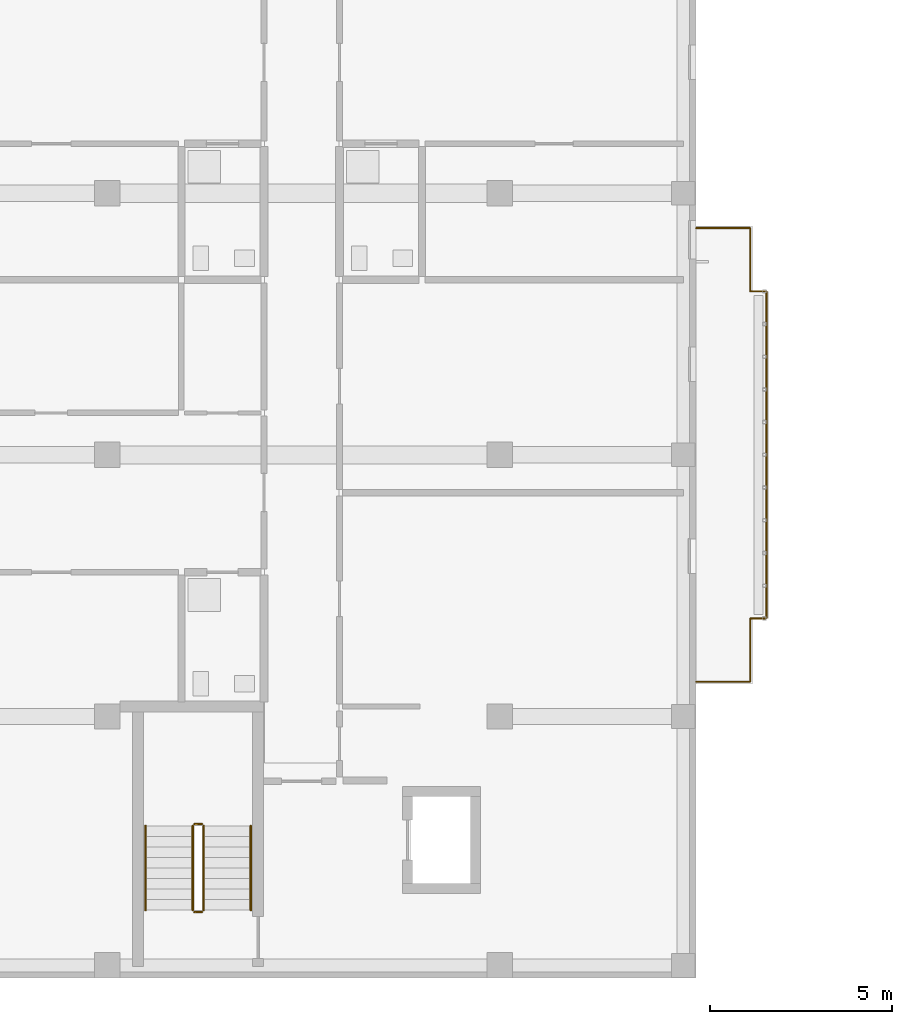
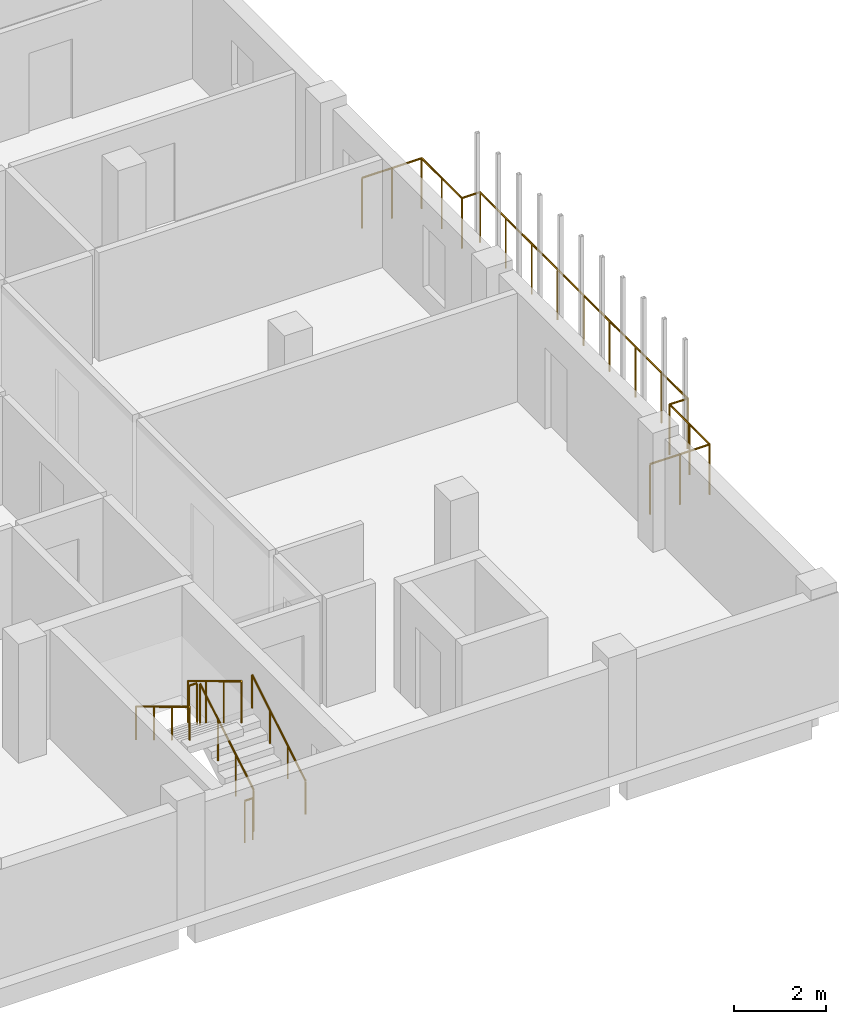
# One storey, part 39 of 51: 7 railings.
"""IFC4 building model written with IfcOpenShell, lengths in metres."""

import ifcopenshell
import ifcopenshell.guid

model = None  # the IFC model being written
_history = None  # IfcOwnerHistory: only IFC2X3 demands one
_inside = {}  # id of a spatial element -> (the spatial element, [elements in it])
_under = {}  # id of a project, library or spatial element -> (it, [spatial elements below it])
_declared = {}  # id of a project -> (the project, [libraries it declares])
_typed = {}  # id of a type object -> (the type object, [elements of that type])
_made_of = {}  # id of a material, layer set ... -> (it, [elements and type objects made of it])


def new_model(schema):
    """Start an empty IFC model of exactly this schema.

    Asked for "IFC4X3", IfcOpenShell would pick the latest addendum, in which some entities
    have other attributes; the version numbers below select the first issue.
    IFC2X3 requires an IfcOwnerHistory on every rooted entity: one is made here for all.
    """
    global model, _history
    if schema == "IFC4X3":
        model = ifcopenshell.file(schema_version=(4, 3, 0, 0))
    else:
        model = ifcopenshell.file(schema=schema)
    _inside.clear()
    _under.clear()
    _declared.clear()
    _typed.clear()
    _made_of.clear()
    _history = None
    if model.schema == "IFC2X3":
        org = make("IfcOrganization", Name="unknown")
        user = make(
            "IfcPersonAndOrganization",
            ThePerson=make("IfcPerson", FamilyName="unknown"),
            TheOrganization=org,
        )
        app = make(
            "IfcApplication",
            ApplicationDeveloper=org,
            Version="unknown",
            ApplicationFullName="unknown",
            ApplicationIdentifier="unknown",
        )
        _history = make(
            "IfcOwnerHistory",
            OwningUser=user,
            OwningApplication=app,
            ChangeAction="ADDED",
            CreationDate=0,
        )
    return model


def make(cls, **values):
    """One entity of the class cls with the attributes given. An attribute that is None is left unset."""
    return model.create_entity(
        cls, **{name: value for name, value in values.items() if value is not None}
    )


def rooted(cls, **values):
    """An entity with a GlobalId (a new one), such as an element, a storey or a relation."""
    return make(cls, GlobalId=ifcopenshell.guid.new(), OwnerHistory=_history, **values)


def si_unit(unit_type, name, prefix=None):
    """IfcSIUnit, for example si_unit("LENGTHUNIT", "METRE", prefix="MILLI")."""
    return make("IfcSIUnit", UnitType=unit_type, Prefix=prefix, Name=name)


def derived_unit(unit_type, elements):
    """IfcDerivedUnit: a product of units, each with its exponent."""
    return make(
        "IfcDerivedUnit",
        Elements=[
            make("IfcDerivedUnitElement", Unit=unit, Exponent=power)
            for unit, power in elements
        ],
        UnitType=unit_type,
    )


def assignment(units):
    """IfcUnitAssignment: the units of a project."""
    return None if units is None else make("IfcUnitAssignment", Units=units)


def point(xyz):
    """IfcCartesianPoint."""
    return None if xyz is None else make("IfcCartesianPoint", Coordinates=xyz)


def direction(xyz):
    """IfcDirection."""
    return None if xyz is None else make("IfcDirection", DirectionRatios=xyz)


def frame(location, z_axis=None, x_axis=None):
    """IfcAxis2Placement3D, a coordinate frame: its origin and axes. An axis left out is left unset."""
    return make(
        "IfcAxis2Placement3D",
        Location=point(location),
        Axis=direction(z_axis),
        RefDirection=direction(x_axis),
    )


def frame_2d(location, x_axis=None):
    """IfcAxis2Placement2D, a coordinate frame in the plane: its origin and x axis."""
    return make(
        "IfcAxis2Placement2D", Location=point(location), RefDirection=direction(x_axis)
    )


def origin():
    """The frame at (0, 0, 0) with its axes left unset."""
    return frame((0.0, 0.0, 0.0))


def origin_2d():
    """The frame at (0, 0) in the plane with its x axis left unset."""
    return frame_2d((0.0, 0.0))


def place(relative_to, where):
    """IfcLocalPlacement: puts the frame where relative to a parent placement (None: the world)."""
    return make(
        "IfcLocalPlacement", PlacementRelTo=relative_to, RelativePlacement=where
    )


def context(
    kind, dimensions, precision=None, world=None, true_north=None, identifier=None
):
    """IfcGeometricRepresentationContext, for example the 3D "Model" context."""
    return make(
        "IfcGeometricRepresentationContext",
        ContextIdentifier=identifier,
        ContextType=kind,
        CoordinateSpaceDimension=dimensions,
        Precision=precision,
        WorldCoordinateSystem=world,
        TrueNorth=true_north,
    )


def subcontext(parent, identifier, kind, view, scale=None):
    """IfcGeometricRepresentationSubContext, for example "Body" below "Model"."""
    return make(
        "IfcGeometricRepresentationSubContext",
        ContextIdentifier=identifier,
        ContextType=kind,
        ParentContext=parent,
        TargetScale=scale,
        TargetView=view,
    )


def project(units=None, contexts=None):
    """IfcProject with its units and contexts."""
    return rooted(
        "IfcProject",
        Name="project",
        RepresentationContexts=contexts,
        UnitsInContext=assignment(units),
    )


def spatial(cls, under=None, at=None, **own):
    """A site, building, storey or space (cls), placed at a placement, below another one or the project."""
    s = rooted(cls, ObjectPlacement=at, **own)
    if under is not None:
        _under.setdefault(under.id(), (under, []))[1].append(s)
    return s


def profile(cls, at=None, kind="AREA", **sizes):
    """A parametric profile (cls). Its sizes go by their IFC names, for example OverallWidth=200.0."""
    return make(cls, ProfileType=kind, Position=at, **sizes)


def circle(**sizes):
    """IfcCircleProfileDef."""
    return profile("IfcCircleProfileDef", **sizes)


def extrude(swept, where, along, depth):
    """IfcExtrudedAreaSolid: the profile swept, set in the frame where, extruded along a direction by depth."""
    return make(
        "IfcExtrudedAreaSolid",
        SweptArea=swept,
        Position=where,
        ExtrudedDirection=direction(along),
        Depth=depth,
    )


def shape(context_of_items, identifier, shape_type, items):
    """IfcShapeRepresentation: the items that make up one representation, for example the "Body"."""
    return make(
        "IfcShapeRepresentation",
        ContextOfItems=context_of_items,
        RepresentationIdentifier=identifier,
        RepresentationType=shape_type,
        Items=items,
    )


def material(Name=None, Category=None):
    """IfcMaterial."""
    return make("IfcMaterial", Name=Name, Category=Category)


def made_of(thing, what):
    """Note that an element or type object is made of a material, layer set ...; save() writes the relation."""
    if what is not None:
        _made_of.setdefault(what.id(), (what, []))[1].append(thing)
    return thing


def type_object(cls, material=None, **own):
    """A type object (cls), such as IfcWallType, which elements share."""
    return made_of(rooted(cls, **own), material)


def element(
    cls,
    number,
    at=None,
    inside=None,
    cuts=None,
    type_object=None,
    material=None,
    context=None,
    identifier="Body",
    shape_type=None,
    held_by="IfcProductDefinitionShape",
    body=None,
    shapes=None,
    **own,
):
    """One element of the class cls, such as IfcWall. Its Tag is "e" and its number.

    at: its placement. inside: the storey or other place that contains it. cuts: it is an
    opening in that element (IfcRelVoidsElement). A single representation is given by context,
    identifier, shape_type and body (its items); several are given by shapes. held_by: the class
    of the entity that holds the representations. save() writes the other relations.
    """
    e = rooted(cls, Tag="e%d" % number, ObjectPlacement=at, **own)
    if body is not None:
        shapes = [shape(context, identifier, shape_type, body)]
    if shapes is not None:
        e.Representation = make(held_by, Representations=shapes)
    if inside is not None:
        _inside.setdefault(inside.id(), (inside, []))[1].append(e)
    if cuts is not None:
        rooted(
            "IfcRelVoidsElement", RelatingBuildingElement=cuts, RelatedOpeningElement=e
        )
    if type_object is not None:
        _typed.setdefault(type_object.id(), (type_object, []))[1].append(e)
    return made_of(e, material)


def aggregate(whole, parts):
    """IfcRelAggregates: a whole, such as a stair, and the parts it consists of."""
    return rooted("IfcRelAggregates", RelatingObject=whole, RelatedObjects=parts)


def save(model, path):
    """Write the relations noted so far, then the file.

    IfcRelAggregates (storeys below a building ...), IfcRelContainedInSpatialStructure (elements
    in a storey), IfcRelDefinesByType, IfcRelAssociatesMaterial and IfcRelDeclares: one each for
    every whole, place, type object, material and project.
    """
    for whole, parts in _under.values():
        aggregate(whole, parts)
    for where, things in _inside.values():
        rooted(
            "IfcRelContainedInSpatialStructure",
            RelatedElements=things,
            RelatingStructure=where,
        )
    for kind, things in _typed.values():
        rooted("IfcRelDefinesByType", RelatedObjects=things, RelatingType=kind)
    for what, things in _made_of.values():
        rooted("IfcRelAssociatesMaterial", RelatedObjects=things, RelatingMaterial=what)
    for by, libraries in _declared.values():
        rooted("IfcRelDeclares", RelatingContext=by, RelatedDefinitions=libraries)
    model.write(path)


model = new_model("IFC4")

# Units and contexts
model_context = context("Model", 3, precision=1e-05, world=origin(), true_north=direction((0.0, 1.0)))
body_context = subcontext(model_context, "Body", "Model", "MODEL_VIEW")
ifc_project = project(units=[si_unit("LENGTHUNIT", "METRE"), si_unit("AREAUNIT", "SQUARE_METRE"), si_unit("VOLUMEUNIT", "CUBIC_METRE"), si_unit("PLANEANGLEUNIT", "RADIAN"), si_unit("MASSUNIT", "GRAM", prefix="KILO"), derived_unit("THERMALTRANSMITTANCEUNIT", [(si_unit("MASSUNIT", "GRAM", prefix="KILO"), 1), (si_unit("TIMEUNIT", "SECOND"), -3), (si_unit("THERMODYNAMICTEMPERATUREUNIT", "KELVIN"), -1)])], contexts=[model_context])

# Site, building, storey
site_placement = place(None, origin())
site = spatial("IfcSite", under=ifc_project, at=site_placement, CompositionType="ELEMENT")
building_placement = place(site_placement, origin())
building = spatial("IfcBuilding", under=site, at=building_placement, Name="Ochrekiln Boulevard Commons", CompositionType="ELEMENT")
storey_placement = place(building_placement, frame((0.0, 0.0, 18.375)))
storey = spatial("IfcBuildingStorey", under=building, at=storey_placement, Name="L05", CompositionType="ELEMENT", Elevation=18.375)

# Railings
ifc_material_1 = material(Name="Bronze-anodized extruded aluminium 6063-T6", Category="aluminium")
railing_type_1 = type_object("IfcRailingType", Name="RLG-BAL-1350", PredefinedType="BALUSTRADE", material=ifc_material_1)
railing_1_placement = place(storey_placement, frame((21.60009765625, 8.159912109375, 0.0)))
element("IfcRailing", 1, at=railing_1_placement, inside=storey, type_object=railing_type_1, Name="Block D L05 Balcony Guard Balustrade 1", PredefinedType="BALUSTRADE", context=body_context, shape_type="SweptSolid", body=[
    extrude(circle(Radius=0.02392578125, at=origin_2d()), frame((0.0, 0.0, 1.326171875), z_axis=(1.0, 0.0, 0.0), x_axis=(0.0, 1.0, 0.0)), (0.0, 0.0, 1.0), 1.489990234375),
    extrude(circle(Radius=0.02392578125, at=origin_2d()), frame((1.489990234375, 0.0, 1.326171875), z_axis=(0.0, 1.0, 0.0), x_axis=(-1.0, 0.0, 0.0)), (0.0, 0.0, 1.0), 1.739990234375),
    extrude(circle(Radius=0.02392578125, at=origin_2d()), frame((1.489990234375, 1.739990234375, 1.326171875), z_axis=(1.0, 0.0, 0.0), x_axis=(0.0, 1.0, 0.0)), (0.0, 0.0, 1.0), 0.449951171875),
    extrude(circle(Radius=0.02392578125, at=origin_2d()), frame((1.93994140625, 1.739990234375, 1.326171875), z_axis=(0.0, 1.0, 0.0), x_axis=(-1.0, 0.0, 0.0)), (0.0, 0.0, 1.0), 9.0),
    extrude(circle(Radius=0.02392578125, at=origin_2d()), frame((1.93994140625, 10.739990234375, 1.326171875), z_axis=(-1.0, 0.0, 0.0), x_axis=(0.0, -1.0, 0.0)), (0.0, 0.0, 1.0), 0.449951171875),
    extrude(circle(Radius=0.02392578125, at=origin_2d()), frame((1.489990234375, 10.739990234375, 1.326171875), z_axis=(0.0, 1.0, 0.0), x_axis=(-1.0, 0.0, 0.0)), (0.0, 0.0, 1.0), 1.739990234375),
    extrude(circle(Radius=0.02392578125, at=origin_2d()), frame((1.489990234375, 12.47998046875, 1.326171875), z_axis=(-1.0, 0.0, 0.0), x_axis=(0.0, -1.0, 0.0)), (0.0, 0.0, 1.0), 1.489990234375),
    extrude(circle(Radius=0.02099609375, at=origin_2d()), origin(), (0.0, 0.0, 1.0), 1.302001953125),
    extrude(circle(Radius=0.02099609375, at=origin_2d()), frame((0.7451171875, 0.0, 0.0)), (0.0, 0.0, 1.0), 1.302001953125),
    extrude(circle(Radius=0.02099609375, at=origin_2d()), frame((1.489990234375, 0.0, 0.0)), (0.0, 0.0, 1.0), 1.302001953125),
    extrude(circle(Radius=0.02099609375, at=origin_2d()), frame((1.489990234375, 0.8701171875, 0.0)), (0.0, 0.0, 1.0), 1.302001953125),
    extrude(circle(Radius=0.02099609375, at=origin_2d()), frame((1.489990234375, 1.739990234375, 0.0)), (0.0, 0.0, 1.0), 1.302001953125),
    extrude(circle(Radius=0.02099609375, at=origin_2d()), frame((1.93994140625, 1.739990234375, 0.0)), (0.0, 0.0, 1.0), 1.302001953125),
    extrude(circle(Radius=0.02099609375, at=origin_2d()), frame((1.93994140625, 2.864990234375, 0.0)), (0.0, 0.0, 1.0), 1.302001953125),
    extrude(circle(Radius=0.02099609375, at=origin_2d()), frame((1.93994140625, 3.989990234375, 0.0)), (0.0, 0.0, 1.0), 1.302001953125),
    extrude(circle(Radius=0.02099609375, at=origin_2d()), frame((1.93994140625, 5.114990234375, 0.0)), (0.0, 0.0, 1.0), 1.302001953125),
    extrude(circle(Radius=0.02099609375, at=origin_2d()), frame((1.93994140625, 6.239990234375, 0.0)), (0.0, 0.0, 1.0), 1.302001953125),
    extrude(circle(Radius=0.02099609375, at=origin_2d()), frame((1.93994140625, 7.364990234375, 0.0)), (0.0, 0.0, 1.0), 1.302001953125),
    extrude(circle(Radius=0.02099609375, at=origin_2d()), frame((1.93994140625, 8.489990234375, 0.0)), (0.0, 0.0, 1.0), 1.302001953125),
    extrude(circle(Radius=0.02099609375, at=origin_2d()), frame((1.93994140625, 9.614990234375, 0.0)), (0.0, 0.0, 1.0), 1.302001953125),
    extrude(circle(Radius=0.02099609375, at=origin_2d()), frame((1.93994140625, 10.739990234375, 0.0)), (0.0, 0.0, 1.0), 1.302001953125),
    extrude(circle(Radius=0.02099609375, at=origin_2d()), frame((1.489990234375, 10.739990234375, 0.0)), (0.0, 0.0, 1.0), 1.302001953125),
    extrude(circle(Radius=0.02099609375, at=origin_2d()), frame((1.489990234375, 11.60986328125, 0.0)), (0.0, 0.0, 1.0), 1.302001953125),
    extrude(circle(Radius=0.02099609375, at=origin_2d()), frame((1.489990234375, 12.47998046875, 0.0)), (0.0, 0.0, 1.0), 1.302001953125),
    extrude(circle(Radius=0.02099609375, at=origin_2d()), frame((0.7451171875, 12.47998046875, 0.0)), (0.0, 0.0, 1.0), 1.302001953125),
    extrude(circle(Radius=0.02099609375, at=origin_2d()), frame((0.0, 12.47998046875, 0.0)), (0.0, 0.0, 1.0), 1.302001953125),
])
ifc_material_2 = material(Name="Brushed stainless steel 316 tubular railing", Category="steel")
railing_type_2 = type_object("IfcRailingType", Name="RLG-HDR-900", PredefinedType="HANDRAIL", material=ifc_material_2)
railing_2_placement = place(storey_placement, frame((9.35009765625, 1.8701171875, 0.175048828125)))
element("IfcRailing", 2, at=railing_2_placement, inside=storey, type_object=railing_type_2, Name="L05 ST-D1 stair handrail 1", PredefinedType="HANDRAIL", context=body_context, shape_type="SweptSolid", body=[
    extrude(circle(Radius=0.02392578125, at=origin_2d()), frame((0.0, 0.0, 0.8759765625), z_axis=(0.0, 0.856186286599, 0.516667245565), x_axis=(-1.0, 0.0, 0.0)), (0.0, 0.0, 1.0), 2.70947265625),
    extrude(circle(Radius=0.02099609375, at=origin_2d()), origin(), (0.0, 0.0, 1.0), 0.851806640625),
    extrude(circle(Radius=0.02099609375, at=origin_2d()), frame((0.0, 0.773193359375, 0.466552734375)), (0.0, 0.0, 1.0), 0.851806640625),
    extrude(circle(Radius=0.02099609375, at=origin_2d()), frame((0.0, 1.546630859375, 0.933349609375)), (0.0, 0.0, 1.0), 0.851806640625),
    extrude(circle(Radius=0.02099609375, at=origin_2d()), frame((0.0, 2.31982421875, 1.39990234375)), (0.0, 0.0, 1.0), 0.851806640625),
])
railing_3_placement = place(storey_placement, frame((6.449951171875, 4.18994140625, 1.75)))
element("IfcRailing", 3, at=railing_3_placement, inside=storey, type_object=railing_type_2, Name="L05 ST-D1 stair handrail 2", PredefinedType="HANDRAIL", context=body_context, shape_type="SweptSolid", body=[
    extrude(circle(Radius=0.02392578125, at=origin_2d()), frame((0.0, 0.0, 0.8759765625), z_axis=(0.0, -0.856186286599, 0.516667245565), x_axis=(1.0, 0.0, 0.0)), (0.0, 0.0, 1.0), 2.70947265625),
    extrude(circle(Radius=0.02099609375, at=origin_2d()), origin(), (0.0, 0.0, 1.0), 0.851806640625),
    extrude(circle(Radius=0.02099609375, at=origin_2d()), frame((0.0, -0.773193359375, 0.466552734375)), (0.0, 0.0, 1.0), 0.851806640625),
    extrude(circle(Radius=0.02099609375, at=origin_2d()), frame((0.0, -1.546630859375, 0.933349609375)), (0.0, 0.0, 1.0), 0.851806640625),
    extrude(circle(Radius=0.02099609375, at=origin_2d()), frame((0.0, -2.31982421875, 1.39990234375)), (0.0, 0.0, 1.0), 0.851806640625),
])
railing_type_3 = type_object("IfcRailingType", Name="RLG-STR-1120", PredefinedType="BALUSTRADE", material=ifc_material_2)
railing_4_placement = place(storey_placement, frame((8.050048828125, 1.8701171875, 0.175048828125)))
element("IfcRailing", 4, at=railing_4_placement, inside=storey, type_object=railing_type_3, Name="L05 ST-D1 stair guard 1", PredefinedType="BALUSTRADE", context=body_context, shape_type="SweptSolid", body=[
    extrude(circle(Radius=0.02392578125, at=origin_2d()), frame((0.0, 0.0, 1.09619140625), z_axis=(0.0, 0.856186286599, 0.516667245565), x_axis=(-1.0, 0.0, 0.0)), (0.0, 0.0, 1.0), 2.70947265625),
    extrude(circle(Radius=0.02099609375, at=origin_2d()), origin(), (0.0, 0.0, 1.0), 1.072021484375),
    extrude(circle(Radius=0.02099609375, at=origin_2d()), frame((0.0, 0.773193359375, 0.466552734375)), (0.0, 0.0, 1.0), 1.072021484375),
    extrude(circle(Radius=0.02099609375, at=origin_2d()), frame((0.0, 1.546630859375, 0.933349609375)), (0.0, 0.0, 1.0), 1.072021484375),
    extrude(circle(Radius=0.02099609375, at=origin_2d()), frame((0.0, 2.31982421875, 1.39990234375)), (0.0, 0.0, 1.0), 1.072021484375),
])
railing_5_placement = place(storey_placement, frame((8.0, 4.239990234375, 1.574951171875)))
element("IfcRailing", 5, at=railing_5_placement, inside=storey, type_object=railing_type_3, Name="L05 ST-D1 stair guard 2", PredefinedType="BALUSTRADE", context=body_context, shape_type="SweptSolid", body=[
    extrude(circle(Radius=0.02392578125, at=origin_2d()), frame((0.0, 0.0, 1.09619140625), z_axis=(-1.0, 0.0, 0.0), x_axis=(0.0, -1.0, 0.0)), (0.0, 0.0, 1.0), 0.199951171875),
    extrude(circle(Radius=0.02099609375, at=origin_2d()), origin(), (0.0, 0.0, 1.0), 1.072021484375),
    extrude(circle(Radius=0.02099609375, at=origin_2d()), frame((-0.199951171875, 0.0, 0.0)), (0.0, 0.0, 1.0), 1.072021484375),
])
railing_6_placement = place(storey_placement, frame((7.75, 4.18994140625, 1.75)))
element("IfcRailing", 6, at=railing_6_placement, inside=storey, type_object=railing_type_3, Name="L05 ST-D1 stair guard 3", PredefinedType="BALUSTRADE", context=body_context, shape_type="SweptSolid", body=[
    extrude(circle(Radius=0.02392578125, at=origin_2d()), frame((0.0, 0.0, 1.09619140625), z_axis=(0.0, -0.856186286599, 0.516667245565), x_axis=(1.0, 0.0, 0.0)), (0.0, 0.0, 1.0), 2.70947265625),
    extrude(circle(Radius=0.02099609375, at=origin_2d()), origin(), (0.0, 0.0, 1.0), 1.072021484375),
    extrude(circle(Radius=0.02099609375, at=origin_2d()), frame((0.0, -0.773193359375, 0.466552734375)), (0.0, 0.0, 1.0), 1.072021484375),
    extrude(circle(Radius=0.02099609375, at=origin_2d()), frame((0.0, -1.546630859375, 0.933349609375)), (0.0, 0.0, 1.0), 1.072021484375),
    extrude(circle(Radius=0.02099609375, at=origin_2d()), frame((0.0, -2.31982421875, 1.39990234375)), (0.0, 0.0, 1.0), 1.072021484375),
])
railing_7_placement = place(storey_placement, frame((8.0, 1.820068359375, 0.0)))
element("IfcRailing", 7, at=railing_7_placement, inside=storey, type_object=railing_type_3, Name="L05 ST-D1 stair guard 4", PredefinedType="BALUSTRADE", context=body_context, shape_type="SweptSolid", body=[
    extrude(circle(Radius=0.02392578125, at=origin_2d()), frame((0.0, 0.0, 1.09619140625), z_axis=(-1.0, 0.0, 0.0), x_axis=(0.0, -1.0, 0.0)), (0.0, 0.0, 1.0), 0.199951171875),
    extrude(circle(Radius=0.02099609375, at=origin_2d()), origin(), (0.0, 0.0, 1.0), 1.072021484375),
    extrude(circle(Radius=0.02099609375, at=origin_2d()), frame((-0.199951171875, 0.0, 0.0)), (0.0, 0.0, 1.0), 1.072021484375),
])

save(model, "model.ifc")
